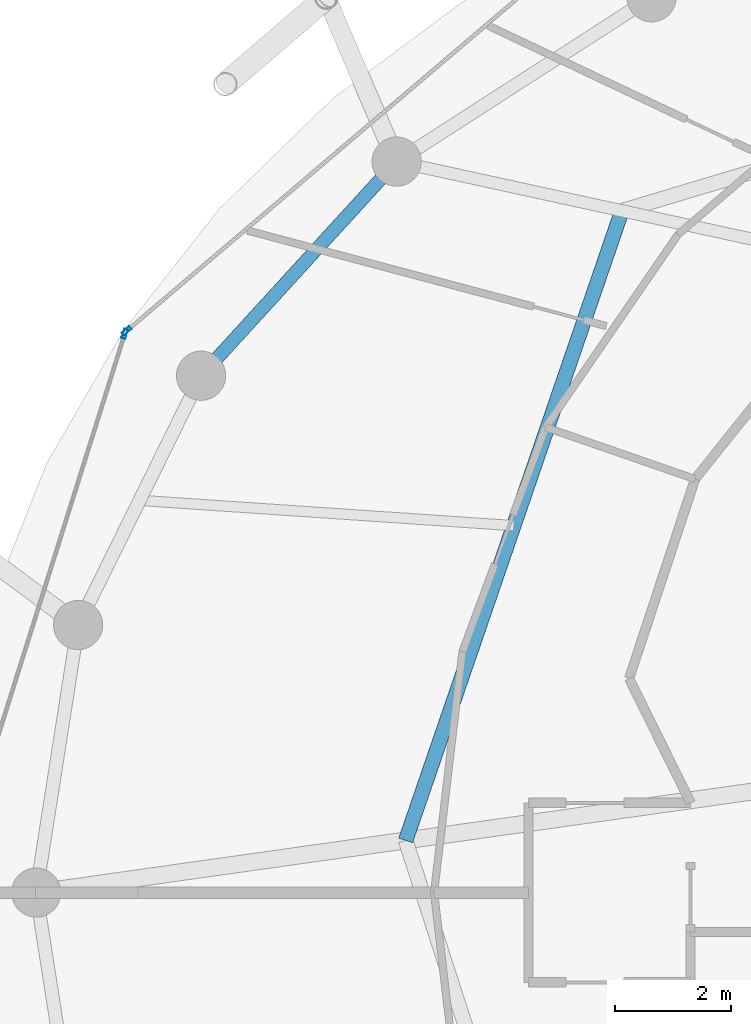
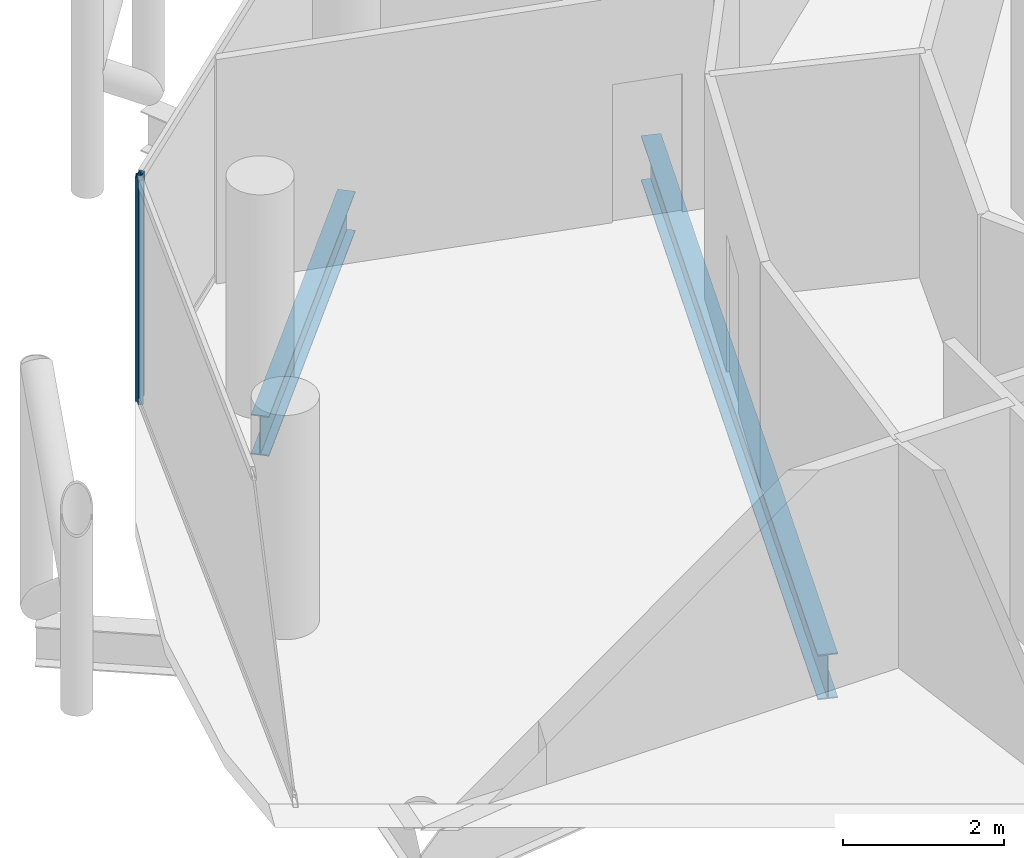
# One storey, part 9 of 27: 2 beams, 2 members, 2 elements without a shape of their own.
"""IFC4 building model written with IfcOpenShell, lengths in metres."""

from ifc_helpers import new_model, si_unit, direction, frame, origin, origin_2d, place, context, subcontext, project, spatial, hollow_rectangle, i_section, extrude, material, layer, layer_set, material_profile, profile_set, type_object, element, aggregate, save


model = new_model("IFC4")

# Units and contexts
model_context = context("Model", 3, precision=1e-05, world=origin(), true_north=direction((0.0, 1.0)))
body_context = subcontext(model_context, "Body", "Model", "MODEL_VIEW")
ifc_project = project(units=[si_unit("LENGTHUNIT", "METRE"), si_unit("AREAUNIT", "SQUARE_METRE"), si_unit("VOLUMEUNIT", "CUBIC_METRE"), si_unit("PLANEANGLEUNIT", "RADIAN"), si_unit("MASSUNIT", "GRAM", prefix="KILO")], contexts=[model_context])

# Site, building, storey
site_placement = place(None, origin())
site = spatial("IfcSite", under=ifc_project, at=site_placement, CompositionType="ELEMENT")
building_placement = place(site_placement, origin())
building = spatial("IfcBuilding", under=site, at=building_placement, Name="Nuhasar Tower", CompositionType="ELEMENT")
storey_placement = place(building_placement, frame((0.0, 0.0, 226.39990234375)))
storey = spatial("IfcBuildingStorey", under=building, at=storey_placement, Name="L55", CompositionType="ELEMENT", Elevation=226.39990234375)

# Beams
ifc_material_1 = material(Name="Steel S355", Category="steel")
ifc_material_profile_1 = material_profile(ifc_material_1, i_section(OverallWidth=0.25390625, OverallDepth=0.68408203125, WebThickness=0.012451171875, FlangeThickness=0.018798828125, at=origin_2d()), Name="W27X94")
ifc_profile_set_1 = profile_set([ifc_material_profile_1], Name="Steel S355")
beam_type_1 = type_object("IfcBeamType", Name="BM-INRING-W27X94", PredefinedType="BEAM", material=ifc_profile_set_1)
beam_1_placement = place(storey_placement, frame((27.864013671875, 38.572998046875, -0.581787109375), z_axis=(-0.324809117642, -0.945779592239, 0.0), x_axis=(0.945779592239, -0.324809117642, 0.0)))
element("IfcBeam", 1, at=beam_1_placement, inside=storey, type_object=beam_type_1, Name="L55 Inner Header Beam 07", PredefinedType="BEAM", context=body_context, shape_type="SweptSolid", body=[
    extrude(i_section(OverallWidth=0.25390625, OverallDepth=0.68408203125, WebThickness=0.012451171875, FlangeThickness=0.018798828125, at=origin_2d()), origin(), (0.0, 0.0, 1.0), 11.496337890625),
])
ifc_material_profile_2 = material_profile(ifc_material_1, i_section(OverallWidth=0.22802734375, OverallDepth=0.60791015625, WebThickness=0.01123046875, FlangeThickness=0.017333984375, at=origin_2d()), Name="W24X76")
ifc_profile_set_2 = profile_set([ifc_material_profile_2], Name="Steel S355")
beam_type_2 = type_object("IfcBeamType", Name="BM-RING-W24X76", PredefinedType="SPANDREL", material=ifc_profile_set_2)
beam_2_placement = place(storey_placement, frame((23.97412109375, 39.422119140625, -0.5439453125), z_axis=(-0.674449692975, -0.738320805373, 0.0), x_axis=(0.738320805373, -0.674449692975, 0.0)))
element("IfcBeam", 2, at=beam_2_placement, inside=storey, type_object=beam_type_2, Name="L55 Perimeter Ring Spandrel 10", PredefinedType="SPANDREL", context=body_context, shape_type="SweptSolid", body=[
    extrude(i_section(OverallWidth=0.22802734375, OverallDepth=0.60791015625, WebThickness=0.01123046875, FlangeThickness=0.017333984375, at=origin_2d()), origin(), (0.0, 0.0, 1.0), 5.00732421875),
])

# Curtain wall, member
ifc_material_2 = material(Name="Aluminium 6063-T6", Category="aluminium")
ifc_layer = layer(ifc_material_2, 0.18994140625)
ifc_layer_set = layer_set([ifc_layer], Name="Aluminium 6063-T6")
curtain_wall_type = type_object("IfcCurtainWallType", Name="CW-Z3-RES", PredefinedType="NOTDEFINED", material=ifc_layer_set)
curtain_wall_1_placement = place(storey_placement, origin())
curtain_wall_1 = element("IfcCurtainWall", 3, at=curtain_wall_1_placement, inside=storey, type_object=curtain_wall_type, Name="L55 Unitised Curtain Wall 05", PredefinedType="NOTDEFINED")
ifc_material_profile_3 = material_profile(ifc_material_2, hollow_rectangle(XDim=0.06494140625, YDim=0.169921875, WallThickness=0.0048828125, at=origin_2d()), Name="CWM-4")
ifc_profile_set_3 = profile_set([ifc_material_profile_3], Name="Aluminium 6063-T6")
member_type = type_object("IfcMemberType", Name="CW-MUL-S4", PredefinedType="MULLION", material=ifc_profile_set_3)
member_1_placement = place(storey_placement, frame((19.313720703125, 36.5009765625, 0.0), z_axis=(0.0, 0.0, 1.0), x_axis=(0.64789521578, -0.761729472562, 0.0)))
member_1 = element("IfcMember", 4, at=member_1_placement, type_object=member_type, Name="CW-Z3 mullion 2", PredefinedType="MULLION", context=body_context, shape_type="SweptSolid", body=[
    extrude(hollow_rectangle(XDim=0.06494140625, YDim=0.169921875, WallThickness=0.0048828125, at=origin_2d()), origin(), (0.0, 0.0, 1.0), 3.41015625),
])
aggregate(curtain_wall_1, [member_1])

curtain_wall_2_placement = place(storey_placement, origin())
curtain_wall_2 = element("IfcCurtainWall", 5, at=curtain_wall_2_placement, inside=storey, type_object=curtain_wall_type, Name="L55 Unitised Curtain Wall 06", PredefinedType="NOTDEFINED")
member_2_placement = place(storey_placement, frame((19.279296875, 36.448974609375, 0.0), z_axis=(0.0, 0.0, 1.0), x_axis=(0.95380429279, -0.30042864553, 0.0)))
member_2 = element("IfcMember", 6, at=member_2_placement, type_object=member_type, Name="CW-Z3 mullion 1", PredefinedType="MULLION", context=body_context, shape_type="SweptSolid", body=[
    extrude(hollow_rectangle(XDim=0.06494140625, YDim=0.169921875, WallThickness=0.0048828125, at=origin_2d()), origin(), (0.0, 0.0, 1.0), 3.41015625),
])
aggregate(curtain_wall_2, [member_2])

save(model, "model.ifc")
